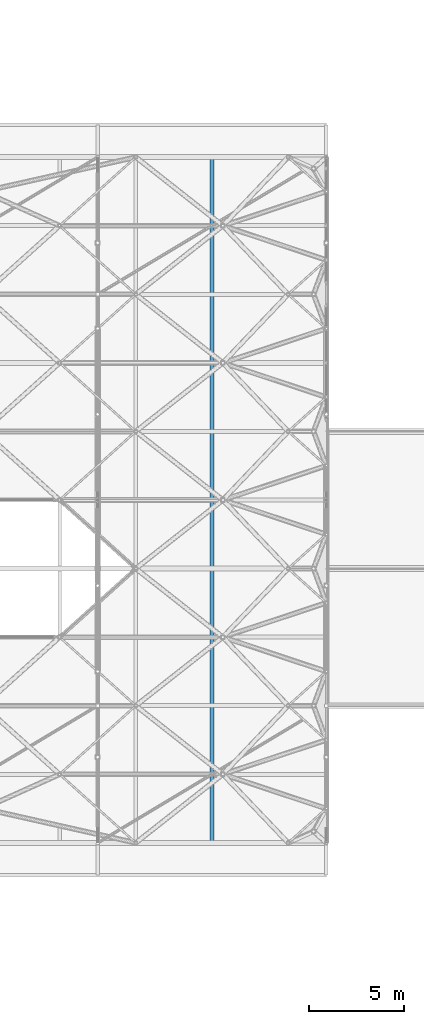
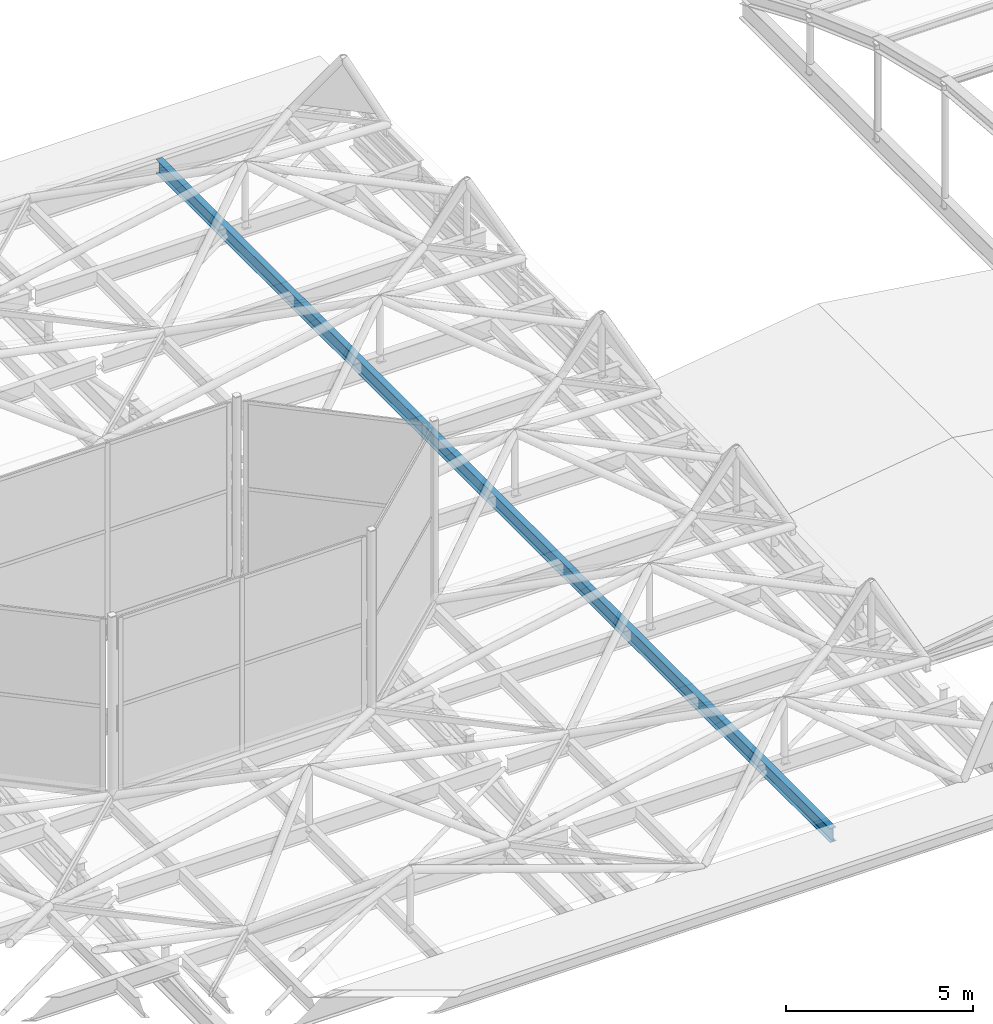
# One storey, part 136 of 239: 1 beam.
"""IFC4 building model written with IfcOpenShell, lengths in metres."""

from ifc_helpers import new_model, si_unit, direction, frame, origin, origin_2d, place, context, subcontext, project, spatial, i_section, extrude, material, material_profile, profile_set, type_object, element, save


model = new_model("IFC4")

# Units and contexts
model_context = context("Model", 3, precision=1e-05, world=origin(), true_north=direction((0.0, 1.0)))
body_context = subcontext(model_context, "Body", "Model", "MODEL_VIEW")
ifc_project = project(units=[si_unit("LENGTHUNIT", "METRE"), si_unit("AREAUNIT", "SQUARE_METRE"), si_unit("VOLUMEUNIT", "CUBIC_METRE"), si_unit("PLANEANGLEUNIT", "RADIAN"), si_unit("MASSUNIT", "GRAM", prefix="KILO")], contexts=[model_context])

# Site, building, storey
site_placement = place(None, origin())
site = spatial("IfcSite", under=ifc_project, at=site_placement, CompositionType="ELEMENT")
building_placement = place(site_placement, origin())
building = spatial("IfcBuilding", under=site, at=building_placement, Name="Dunvalen Ferry Terminal", CompositionType="ELEMENT")
storey_placement = place(building_placement, frame((0.0, 0.0, 9.840087890625)))
storey = spatial("IfcBuildingStorey", under=building, at=storey_placement, Name="L02", CompositionType="ELEMENT", Elevation=9.840087890625)

# Beam
ifc_material = material(Name="Steel S355", Category="steel")
ifc_material_profile = material_profile(ifc_material, i_section(OverallWidth=0.1904296875, OverallDepth=0.45703125, WebThickness=0.009033203125, FlangeThickness=0.014404296875, FilletRadius=0.01025390625, at=origin_2d()), Name="Steel S355")
ifc_profile_set = profile_set([ifc_material_profile], Name="Steel S355")
beam_type = type_object("IfcBeamType", Name="STR-BM-UKB457", PredefinedType="BEAM", material=ifc_profile_set)
beam_placement = place(storey_placement, frame((90.0, 50.39990234375, 0.771484375), z_axis=(0.0, 1.0, 0.0), x_axis=(-1.0, 0.0, 0.0)))
element("IfcBeam", 1, at=beam_placement, inside=storey, type_object=beam_type, Name="Departure Hall Hex-Grid Cross Beam B7.2", PredefinedType="BEAM", context=body_context, shape_type="SweptSolid", body=[
    extrude(i_section(OverallWidth=0.1904296875, OverallDepth=0.45703125, WebThickness=0.009033203125, FlangeThickness=0.014404296875, FilletRadius=0.01025390625, at=origin_2d()), origin(), (0.0, 0.0, 1.0), 36.0),
])

save(model, "model.ifc")
